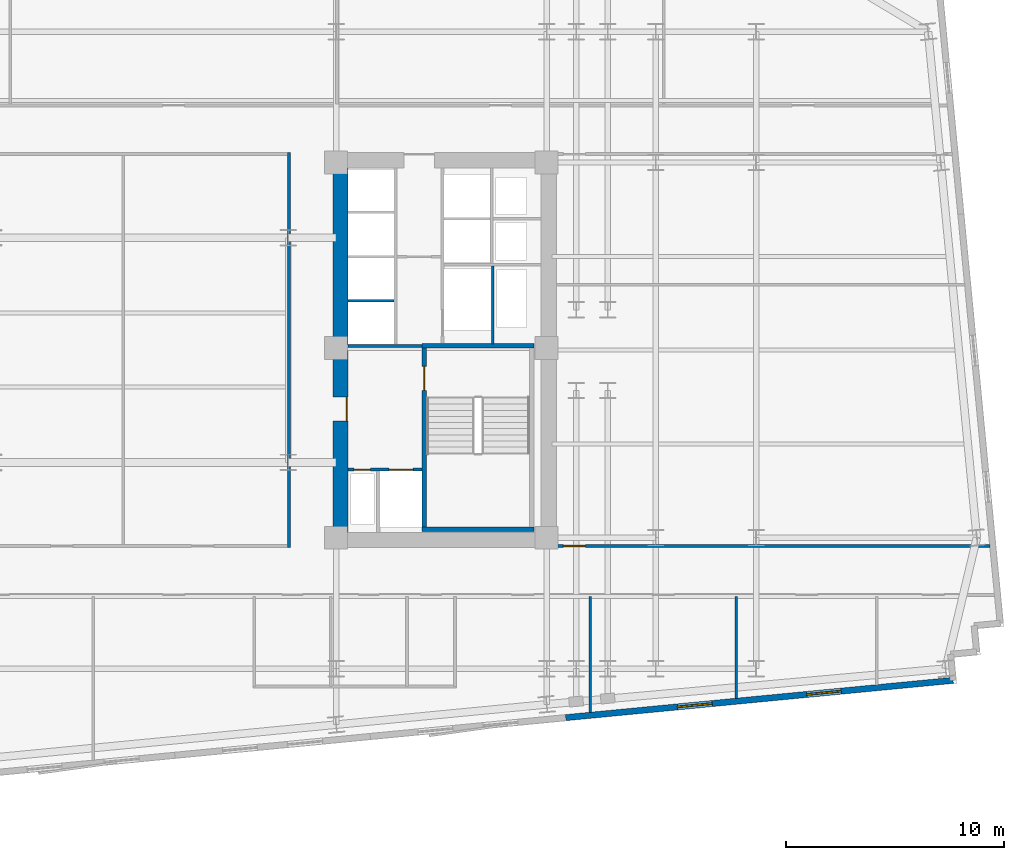
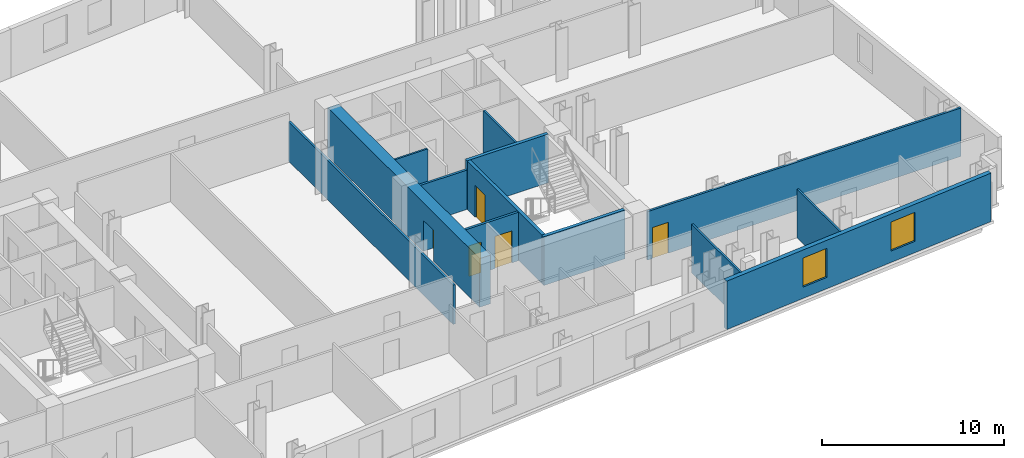
# One storey, part 6 of 10: 13 walls, 5 doors, 2 windows, 7 openings.
"""IFC4 building model written with IfcOpenShell, lengths in metres."""

from ifc_helpers import new_model, si_unit, direction, frame, frame_2d, origin, place, context, subcontext, project, spatial, rectangle, extrude, material, layer, layer_set, type_object, element, fill, save


model = new_model("IFC4")

# Units and contexts
model_context = context("Model", 3, precision=1e-05, world=origin(), true_north=direction((0.0, 1.0)))
body_context = subcontext(model_context, "Body", "Model", "MODEL_VIEW")
ifc_project = project(units=[si_unit("LENGTHUNIT", "METRE"), si_unit("AREAUNIT", "SQUARE_METRE"), si_unit("VOLUMEUNIT", "CUBIC_METRE"), si_unit("PLANEANGLEUNIT", "RADIAN"), si_unit("MASSUNIT", "GRAM", prefix="KILO")], contexts=[model_context])

# Site, building, storey
site_placement = place(None, origin())
site = spatial("IfcSite", under=ifc_project, at=site_placement, CompositionType="ELEMENT")
building_placement = place(site_placement, origin())
building = spatial("IfcBuilding", under=site, at=building_placement, Name="Velakula Bourse", CompositionType="ELEMENT")
storey_placement = place(building_placement, frame((0.0, 0.0, 88.0)))
storey = spatial("IfcBuildingStorey", under=building, at=storey_placement, Name="L23", CompositionType="ELEMENT", Elevation=88.0)

# Wall, opening, door
ifc_material_1 = material(Name="Concrete M50 (fck 50 MPa)", Category="concrete")
ifc_layer_1 = layer(ifc_material_1, 0.2099609375, Name="Concrete M50 (fck 50 MPa)", Category="concrete")
ifc_layer_set_1 = layer_set([ifc_layer_1], Name="Concrete M50 (fck 50 MPa)")
wall_type_1 = type_object("IfcWallType", Name="WL-CORE-210", PredefinedType="SHEAR", material=ifc_layer_set_1)
wall_1_placement = place(storey_placement, frame((12.9951171875, -8.10009765625, 0.0), z_axis=(0.0, 0.0, 1.0), x_axis=(0.0, 1.0, 0.0)))
wall_1 = element("IfcWall", 1, at=wall_1_placement, inside=storey, type_object=wall_type_1, Name="L23 Core E Stairwell Shear Wall IN", PredefinedType="SHEAR", context=body_context, shape_type="SweptSolid", body=[
    extrude(rectangle(XDim=8.2001953125, YDim=0.2099609375, at=frame_2d((4.10009765625, 0.0))), origin(), (0.0, 0.0, 1.0), 3.27001953125),
])
opening_1_placement = place(wall_1_placement, frame((6.25, 0.0, 0.0)))
opening_1 = element("IfcOpeningElement", 2, at=opening_1_placement, cuts=wall_1, Name="Opening D-STE1", PredefinedType="OPENING", context=body_context, shape_type="SweptSolid", body=[
    extrude(rectangle(XDim=1.10009765625, YDim=2.14990234375, at=frame_2d((0.550048828125, 1.074951171875))), frame((0.0, 0.114990234375, 0.0), z_axis=(0.0, -1.0, 0.0), x_axis=(1.0, 0.0, 0.0)), (0.0, 0.0, 1.0), 0.22998046875),
])
ifc_material_2 = material(Name="Galvanised painted hollow steel fire door", Category="steel")
door_type_1 = type_object("IfcDoorType", Name="DR-FD120-1100x2150", OperationType="NOTDEFINED", PredefinedType="DOOR", material=ifc_material_2)
door_1_placement = place(opening_1_placement, origin())
door_1 = element("IfcDoor", 3, at=door_1_placement, inside=storey, type_object=door_type_1, Name="L23 Stair ST-E1 Fire Door", OperationType="SINGLE_SWING_RIGHT", OverallHeight=2.14990234375, OverallWidth=1.10009765625, PredefinedType="DOOR", context=body_context, shape_type="SweptSolid", body=[
    extrude(rectangle(XDim=1.10009765625, YDim=2.14990234375, at=frame_2d((0.550048828125, 1.074951171875))), frame((0.0, 0.02490234375, 0.0), z_axis=(0.0, -1.0, 0.0), x_axis=(1.0, 0.0, 0.0)), (0.0, 0.0, 1.0), 0.050048828125),
])
fill(opening_1, door_1)

# Walls
for number, where, z_axis, x_axis, name in (
    (4, (12.889892578125, -8.205078125, 0.0), (0.0, 0.0, 1.0), (1.0, 0.0, 0.0), "L23 Core E Stairwell Shear Wall S"),
    (5, (18.030029296875, 0.205078125, 0.0), (0.0, 0.0, 1.0), (-1.0, 0.0, 0.0), "L23 Core E Stairwell Shear Wall N"),
):
    element("IfcWall", number, at=place(storey_placement, frame(where, z_axis=z_axis, x_axis=x_axis)), inside=storey, type_object=wall_type_1, Name=name, PredefinedType="SHEAR", context=body_context, shape_type="SweptSolid", body=[
        extrude(rectangle(XDim=5.14013671875, YDim=0.2099609375, at=frame_2d((2.570068359375, 0.0))), origin(), (0.0, 0.0, 1.0), 3.27001953125),
    ])

# Wall, opening, door
ifc_material_3 = material(Name="Concrete M70 (fck 70 MPa)", Category="concrete")
ifc_layer_2 = layer(ifc_material_3, 0.699951171875, Name="Concrete M70 (fck 70 MPa)", Category="concrete")
ifc_layer_set_2 = layer_set([ifc_layer_2], Name="Concrete M70 (fck 70 MPa)")
wall_type_2 = type_object("IfcWallType", Name="WL-CORE-700", PredefinedType="SHEAR", material=ifc_layer_set_2)
wall_2_placement = place(storey_placement, frame((9.14990234375, -8.35009765625, 0.0), z_axis=(0.0, 0.0, 1.0), x_axis=(0.0, 1.0, 0.0)))
wall_2 = element("IfcWall", 6, at=wall_2_placement, inside=storey, type_object=wall_type_2, Name="L23 Core E Shear Wall W", PredefinedType="SHEAR", context=body_context, shape_type="SweptSolid", body=[
    extrude(rectangle(XDim=16.7001953125, YDim=0.699951171875, at=frame_2d((8.35009765625, 0.0))), origin(), (0.0, 0.0, 1.0), 3.27001953125),
])
opening_2_placement = place(wall_2_placement, frame((5.10009765625, 0.0, 0.0)))
opening_2 = element("IfcOpeningElement", 7, at=opening_2_placement, cuts=wall_2, Name="Opening D-FLE", PredefinedType="OPENING", context=body_context, shape_type="SweptSolid", body=[
    extrude(rectangle(XDim=1.10009765625, YDim=2.080078125, at=frame_2d((0.550048828125, 1.0400390625))), frame((0.0, 0.35986328125, 0.0), z_axis=(0.0, -1.0, 0.0), x_axis=(1.0, 0.0, 0.0)), (0.0, 0.0, 1.0), 0.719970703125),
])
door_type_2 = type_object("IfcDoorType", Name="DR-FD120-1100", OperationType="NOTDEFINED", PredefinedType="DOOR", material=ifc_material_2)
door_2_placement = place(opening_2_placement, origin())
door_2 = element("IfcDoor", 8, at=door_2_placement, inside=storey, type_object=door_type_2, Name="L23 Firefighting Lobby E Corridor Fire Door", OperationType="SINGLE_SWING_RIGHT", OverallHeight=2.080078125, OverallWidth=1.10009765625, PredefinedType="DOOR", context=body_context, shape_type="SweptSolid", body=[
    extrude(rectangle(XDim=1.10009765625, YDim=2.080078125, at=frame_2d((0.550048828125, 1.0400390625))), frame((0.0, -0.2548828125, 0.0), z_axis=(0.0, -1.0, 0.0), x_axis=(1.0, 0.0, 0.0)), (0.0, 0.0, 1.0), 0.050048828125),
])
fill(opening_2, door_2)

# Wall, openings, windows
ifc_material_4 = material(Name="Red kilned clay facing brick masonry", Category="masonry")
ifc_layer_3 = layer(ifc_material_4, 0.280029296875, Name="Red kilned clay facing brick masonry", Category="masonry")
ifc_layer_set_3 = layer_set([ifc_layer_3], Name="Red kilned clay facing brick masonry")
wall_type_3 = type_object("IfcWallType", Name="WL-EXT-BRK-280", PredefinedType="STANDARD", material=ifc_layer_set_3)
wall_3_placement = place(storey_placement, frame((37.2314453125, -15.138427734375, 0.0), z_axis=(0.0, 0.0, 1.0), x_axis=(-0.995395780835, -0.095850088663, 0.0)))
wall_3 = element("IfcWall", 9, at=wall_3_placement, inside=storey, type_object=wall_type_3, Name="L23 S Brick Spandrel Wall B5", PredefinedType="STANDARD", context=body_context, shape_type="SweptSolid", body=[
    extrude(rectangle(XDim=17.83984375, YDim=0.280029296875, at=frame_2d((8.919921875, 0.0))), origin(), (0.0, 0.0, 1.0), 3.25),
])
opening_3_placement = place(wall_3_placement, frame((5.146728515625, 0.0, 0.760009765625)))
opening_3 = element("IfcOpeningElement", 10, at=opening_3_placement, cuts=wall_3, Name="Opening W-02", PredefinedType="OPENING", context=body_context, shape_type="SweptSolid", body=[
    extrude(rectangle(XDim=1.60009765625, YDim=1.949951171875, at=frame_2d((0.800048828125, 0.97509765625))), frame((0.0, 0.14990234375, 0.0), z_axis=(0.0, -1.0, 0.0), x_axis=(1.0, 0.0, 0.0)), (0.0, 0.0, 1.0), 0.300048828125),
])
opening_4_placement = place(wall_3_placement, frame((11.09326171875, 0.0, 0.760009765625)))
opening_4 = element("IfcOpeningElement", 11, at=opening_4_placement, cuts=wall_3, Name="Opening W-02", PredefinedType="OPENING", context=body_context, shape_type="SweptSolid", body=[
    extrude(rectangle(XDim=1.60009765625, YDim=1.949951171875, at=frame_2d((0.800048828125, 0.97509765625))), frame((0.0, 0.14990234375, 0.0), z_axis=(0.0, -1.0, 0.0), x_axis=(1.0, 0.0, 0.0)), (0.0, 0.0, 1.0), 0.300048828125),
])
ifc_material_5 = material(Name="Double-glazed solar-control Low-E glass", Category="glass")
window_type = type_object("IfcWindowType", Name="WIN-TWR-1600x2100", PartitioningType="SINGLE_PANEL", PredefinedType="WINDOW", material=ifc_material_5)
window_1_placement = place(opening_3_placement, origin())
window_1 = element("IfcWindow", 12, at=window_1_placement, inside=storey, type_object=window_type, Name="L23 Deep-Set Recessed Window 1", OverallHeight=1.949951171875, OverallWidth=1.60009765625, PartitioningType="SINGLE_PANEL", PredefinedType="WINDOW", context=body_context, shape_type="SweptSolid", body=[
    extrude(rectangle(XDim=1.60009765625, YDim=1.949951171875, at=frame_2d((0.800048828125, 0.97509765625))), frame((0.0, 0.030029296875, 0.0), z_axis=(0.0, -1.0, 0.0), x_axis=(1.0, 0.0, 0.0)), (0.0, 0.0, 1.0), 0.06005859375),
])
fill(opening_3, window_1)
window_2_placement = place(opening_4_placement, origin())
window_2 = element("IfcWindow", 13, at=window_2_placement, inside=storey, type_object=window_type, Name="L23 Deep-Set Recessed Window 2", OverallHeight=1.949951171875, OverallWidth=1.60009765625, PartitioningType="SINGLE_PANEL", PredefinedType="WINDOW", context=body_context, shape_type="SweptSolid", body=[
    extrude(rectangle(XDim=1.60009765625, YDim=1.949951171875, at=frame_2d((0.800048828125, 0.97509765625))), frame((0.0, 0.030029296875, 0.0), z_axis=(0.0, -1.0, 0.0), x_axis=(1.0, 0.0, 0.0)), (0.0, 0.0, 1.0), 0.06005859375),
])
fill(opening_4, window_2)

# Walls
ifc_material_6 = material(Name="Fire-rated double-layer gypsum drywall partition", Category="gypsum")
ifc_layer_4 = layer(ifc_material_6, 0.1201171875, Name="Fire-rated double-layer gypsum drywall partition", Category="gypsum")
ifc_layer_set_4 = layer_set([ifc_layer_4], Name="Fire-rated double-layer gypsum drywall partition")
wall_type_4 = type_object("IfcWallType", Name="WL-PART-120", PredefinedType="STANDARD", material=ifc_layer_set_4)
wall_4_placement = place(storey_placement, frame((9.5, 2.2548828125, 0.0), z_axis=(0.0, 0.0, 1.0), x_axis=(1.0, 0.0, 0.0)))
element("IfcWall", 14, at=wall_4_placement, inside=storey, type_object=wall_type_4, Name="L23 Interior Partition WL-CRE-L23-BDIV-0", PredefinedType="STANDARD", context=body_context, shape_type="SweptSolid", body=[
    extrude(rectangle(XDim=2.10009765625, YDim=0.110107421875, at=frame_2d((1.050048828125, 0.0))), origin(), (0.0, 0.0, 1.0), 3.25),
])
wall_5_placement = place(storey_placement, frame((16.125, 0.27001953125, 0.0), z_axis=(0.0, 0.0, 1.0), x_axis=(0.0, 1.0, 0.0)))
element("IfcWall", 15, at=wall_5_placement, inside=storey, type_object=wall_type_4, Name="L23 Interior Partition WL-CRE-L23-SVL-E", PredefinedType="STANDARD", context=body_context, shape_type="SweptSolid", body=[
    extrude(rectangle(XDim=3.590087890625, YDim=0.1201171875, at=frame_2d((1.794921875, 0.0))), origin(), (0.0, 0.0, 1.0), 3.25),
])
wall_6_placement = place(storey_placement, frame((20.597900390625, -16.619384765625, 0.0), z_axis=(0.0, 0.0, 1.0), x_axis=(0.0, 1.0, 0.0)))
element("IfcWall", 16, at=wall_6_placement, inside=storey, type_object=wall_type_4, Name="L23 Interior Partition WL-INT-L23-SR-D8", PredefinedType="STANDARD", context=body_context, shape_type="SweptSolid", body=[
    extrude(rectangle(XDim=5.329345703125, YDim=0.1201171875, at=frame_2d((2.66455078125, 0.0))), origin(), (0.0, 0.0, 1.0), 3.25),
])
wall_7_placement = place(storey_placement, frame((27.29296875, -15.974853515625, 0.0), z_axis=(0.0, 0.0, 1.0), x_axis=(0.0, 1.0, 0.0)))
element("IfcWall", 17, at=wall_7_placement, inside=storey, type_object=wall_type_4, Name="L23 Interior Partition WL-INT-L23-SR-D9", PredefinedType="STANDARD", context=body_context, shape_type="SweptSolid", body=[
    extrude(rectangle(XDim=4.684814453125, YDim=0.1201171875, at=frame_2d((2.34228515625, 0.0))), origin(), (0.0, 0.0, 1.0), 3.25),
])

# Wall, opening, door
ifc_layer_5 = layer(ifc_material_6, 0.139892578125, Name="Fire-rated double-layer gypsum drywall partition", Category="gypsum")
ifc_layer_set_5 = layer_set([ifc_layer_5], Name="Fire-rated double-layer gypsum drywall partition")
wall_type_5 = type_object("IfcWallType", Name="WL-PART-140", PredefinedType="STANDARD", material=ifc_layer_set_5)
wall_8_placement = place(storey_placement, frame((19.050048828125, -8.97998046875, 0.0), z_axis=(0.0, 0.0, 1.0), x_axis=(1.0, 0.0, 0.0)))
wall_8 = element("IfcWall", 18, at=wall_8_placement, inside=storey, type_object=wall_type_5, Name="L23 Interior Partition WL-INT-L23-E-SC", PredefinedType="STANDARD", context=body_context, shape_type="SweptSolid", body=[
    extrude(rectangle(XDim=19.87890625, YDim=0.139892578125, at=frame_2d((9.939453125, 0.0))), origin(), (0.0, 0.0, 1.0), 3.25),
])
opening_5_placement = place(wall_8_placement, frame((0.320068359375, 0.0, 0.0)))
opening_5 = element("IfcOpeningElement", 19, at=opening_5_placement, cuts=wall_8, Name="Opening D-OF1", PredefinedType="OPENING", context=body_context, shape_type="SweptSolid", body=[
    extrude(rectangle(XDim=1.0, YDim=2.080078125, at=frame_2d((0.5, 1.0400390625))), frame((0.0, 0.079833984375, 0.0), z_axis=(0.0, -1.0, 0.0), x_axis=(1.0, 0.0, 0.0)), (0.0, 0.0, 1.0), 0.159912109375),
])
ifc_material_7 = material(Name="Fire-rated hardwood flush architectural door", Category="wood")
door_type_3 = type_object("IfcDoorType", Name="DR-OFF-1000", OperationType="NOTDEFINED", PredefinedType="DOOR", material=ifc_material_7)
door_3_placement = place(opening_5_placement, origin())
door_3 = element("IfcDoor", 20, at=door_3_placement, inside=storey, type_object=door_type_3, Name="L23 Central Depository Workspace Door", OperationType="SINGLE_SWING_RIGHT", OverallHeight=2.080078125, OverallWidth=1.0, PredefinedType="DOOR", context=body_context, shape_type="SweptSolid", body=[
    extrude(rectangle(XDim=1.0, YDim=2.080078125, at=frame_2d((0.5, 1.0400390625))), frame((0.0, 0.02490234375, 0.0), z_axis=(0.0, -1.0, 0.0), x_axis=(1.0, 0.0, 0.0)), (0.0, 0.0, 1.0), 0.050048828125),
])
fill(opening_5, door_3)

# Wall
wall_9_placement = place(storey_placement, frame((6.780029296875, -9.050048828125, 0.0), z_axis=(0.0, 0.0, 1.0), x_axis=(0.0, 1.0, 0.0)))
element("IfcWall", 21, at=wall_9_placement, inside=storey, type_object=wall_type_5, Name="L23 Interior Partition WL-INT-L23-MID-E", PredefinedType="STANDARD", context=body_context, shape_type="SweptSolid", body=[
    extrude(rectangle(XDim=18.10009765625, YDim=0.139892578125, at=frame_2d((9.050048828125, 0.0))), origin(), (0.0, 0.0, 1.0), 2.64501953125),
])

# Wall, openings, doors
ifc_material_8 = material(Name="Autoclaved aerated concrete blockwork masonry", Category="masonry")
ifc_layer_6 = layer(ifc_material_8, 0.14990234375, Name="Autoclaved aerated concrete blockwork masonry", Category="masonry")
ifc_layer_set_6 = layer_set([ifc_layer_6], Name="Autoclaved aerated concrete blockwork masonry")
wall_type_6 = type_object("IfcWallType", Name="WL-SHAFT-150", PredefinedType="STANDARD", material=ifc_layer_set_6)
wall_10_placement = place(storey_placement, frame((9.5, -5.47509765625, 0.0), z_axis=(0.0, 0.0, 1.0), x_axis=(1.0, 0.0, 0.0)))
wall_10 = element("IfcWall", 22, at=wall_10_placement, inside=storey, type_object=wall_type_6, Name="L23 Interior Partition WL-CRE-L23-FFL-N", PredefinedType="STANDARD", context=body_context, shape_type="SweptSolid", body=[
    extrude(rectangle(XDim=3.39501953125, YDim=0.14990234375, at=frame_2d((1.697509765625, 0.0))), origin(), (0.0, 0.0, 1.0), 3.25),
])
opening_6_placement = place(wall_10_placement, frame((1.875, 0.0, 0.0)))
opening_6 = element("IfcOpeningElement", 23, at=opening_6_placement, cuts=wall_10, Name="Opening LD-FFL-2", PredefinedType="OPENING", context=body_context, shape_type="SweptSolid", body=[
    extrude(rectangle(XDim=1.10009765625, YDim=2.14990234375, at=frame_2d((0.550048828125, 1.074951171875))), frame((0.0, 0.0849609375, 0.0), z_axis=(0.0, -1.0, 0.0), x_axis=(1.0, 0.0, 0.0)), (0.0, 0.0, 1.0), 0.169921875),
])
opening_7_placement = place(wall_10_placement, frame((0.27490234375, 0.0, 0.0)))
opening_7 = element("IfcOpeningElement", 24, at=opening_7_placement, cuts=wall_10, Name="Opening D-RS1", PredefinedType="OPENING", context=body_context, shape_type="SweptSolid", body=[
    extrude(rectangle(XDim=0.75, YDim=2.050048828125, at=frame_2d((0.375, 1.02490234375))), frame((0.0, 0.0849609375, 0.0), z_axis=(0.0, -1.0, 0.0), x_axis=(1.0, 0.0, 0.0)), (0.0, 0.0, 1.0), 0.169921875),
])
door_type_4 = type_object("IfcDoorType", Name="DR-RISER-800", OperationType="NOTDEFINED", PredefinedType="DOOR", material=ifc_material_2)
door_4_placement = place(opening_7_placement, origin())
door_4 = element("IfcDoor", 25, at=door_4_placement, inside=storey, type_object=door_type_4, Name="L23 Fire Riser Access Door", OperationType="SINGLE_SWING_LEFT", OverallHeight=2.050048828125, OverallWidth=0.75, PredefinedType="DOOR", context=body_context, shape_type="SweptSolid", body=[
    extrude(rectangle(XDim=0.75, YDim=2.050048828125, at=frame_2d((0.375, 1.02490234375))), frame((0.0, 0.02490234375, 0.0), z_axis=(0.0, -1.0, 0.0), x_axis=(1.0, 0.0, 0.0)), (0.0, 0.0, 1.0), 0.050048828125),
])
fill(opening_7, door_4)
ifc_material_9 = material(Name="Brushed grade 316 stainless steel", Category="steel")
door_type_5 = type_object("IfcDoorType", Name="DR-SLIDE-FFL-1100", OperationType="DOUBLE_DOOR_SLIDING", PredefinedType="DOOR", material=ifc_material_9)
door_5_placement = place(opening_6_placement, origin())
door_5 = element("IfcDoor", 26, at=door_5_placement, inside=storey, type_object=door_type_5, Name="L23 Firefighting Lift FFL-2 Sliding Landing Door", OperationType="DOUBLE_DOOR_SLIDING", OverallHeight=2.14990234375, OverallWidth=1.10009765625, PredefinedType="DOOR", context=body_context, shape_type="SweptSolid", body=[
    extrude(rectangle(XDim=1.10009765625, YDim=2.14990234375, at=frame_2d((0.550048828125, 1.074951171875))), frame((0.0, 0.02490234375, 0.0), z_axis=(0.0, -1.0, 0.0), x_axis=(1.0, 0.0, 0.0)), (0.0, 0.0, 1.0), 0.050048828125),
])
fill(opening_6, door_5)

# Wall
wall_11_placement = place(storey_placement, frame((9.5, 0.18994140625, 0.0), z_axis=(0.0, 0.0, 1.0), x_axis=(1.0, 0.0, 0.0)))
element("IfcWall", 27, at=wall_11_placement, inside=storey, type_object=wall_type_6, Name="L23 Interior Partition WL-CRE-L23-FF-TOP", PredefinedType="STANDARD", context=body_context, shape_type="SweptSolid", body=[
    extrude(rectangle(XDim=3.389892578125, YDim=0.14990234375, at=frame_2d((1.69482421875, 0.0))), origin(), (0.0, 0.0, 1.0), 2.64501953125),
])

save(model, "model.ifc")
